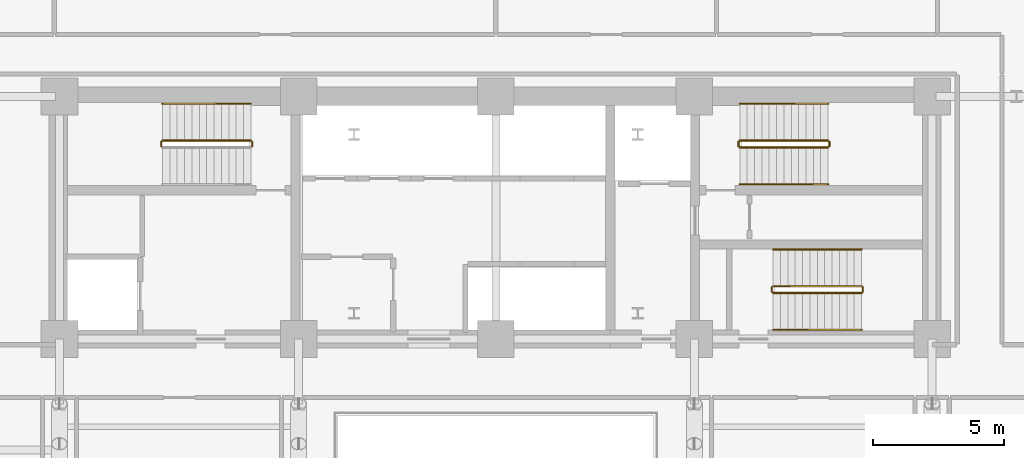
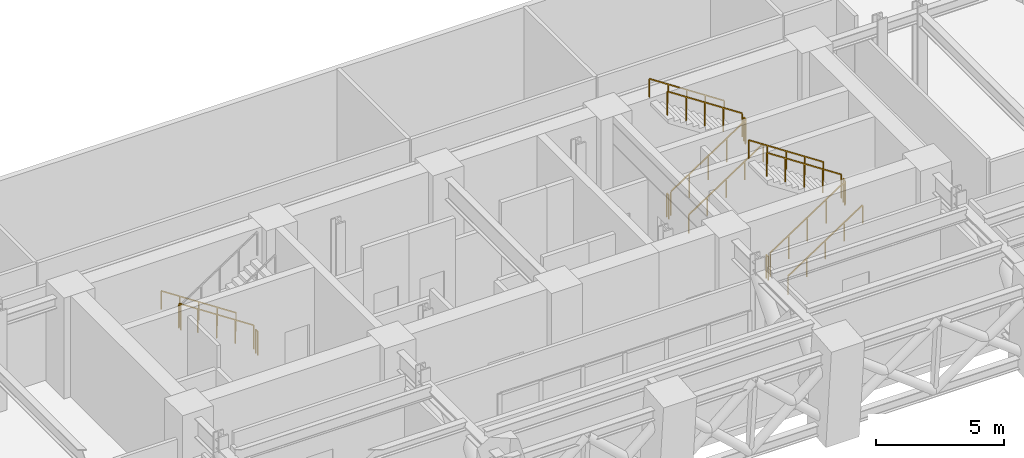
# One storey, part 12 of 12: 16 railings.
"""IFC4 building model written with IfcOpenShell, lengths in metres."""

from ifc_helpers import new_model, si_unit, direction, frame, origin, origin_2d, place, context, subcontext, project, spatial, rectangle, extrude, material, type_object, element, save


model = new_model("IFC4")

# Units and contexts
model_context = context("Model", 3, precision=1e-05, world=origin(), true_north=direction((0.0, 1.0)))
body_context = subcontext(model_context, "Body", "Model", "MODEL_VIEW")
ifc_project = project(units=[si_unit("LENGTHUNIT", "METRE"), si_unit("AREAUNIT", "SQUARE_METRE"), si_unit("VOLUMEUNIT", "CUBIC_METRE"), si_unit("PLANEANGLEUNIT", "RADIAN"), si_unit("MASSUNIT", "GRAM", prefix="KILO")], contexts=[model_context])

# Site, building, storey
site_placement = place(None, origin())
site = spatial("IfcSite", under=ifc_project, at=site_placement, CompositionType="ELEMENT")
building_placement = place(site_placement, origin())
building = spatial("IfcBuilding", under=site, at=building_placement, Name="Zarnavel Station Tower", CompositionType="ELEMENT")
storey_placement = place(building_placement, frame((0.0, 0.0, 74.5)))
storey = spatial("IfcBuildingStorey", under=building, at=storey_placement, Name="L20", CompositionType="ELEMENT", Elevation=74.5)

# Railings
ifc_material_1 = material(Name="Painted Steel S355J2 Balustrade", Category="steel")
railing_type_1 = type_object("IfcRailingType", Name="GR_INT_1150", PredefinedType="GUARDRAIL", material=ifc_material_1)
railing_1_placement = place(storey_placement, frame((19.47998046875, 35.3701171875, 0.1845703125)))
element("IfcRailing", 1, at=railing_1_placement, inside=storey, type_object=railing_type_1, Name="L20 ST1 stair guard 1", PredefinedType="GUARDRAIL", context=body_context, shape_type="SweptSolid", body=[
    extrude(rectangle(XDim=0.048095703125, YDim=0.048095703125, at=origin_2d()), frame((-0.001708984375, 0.0, 1.126953125), z_axis=(-0.834858096282, 0.0, 0.550465220583), x_axis=(0.0, -1.0, 0.0)), (0.0, 0.0, 1.0), 4.0205078125),
    extrude(rectangle(XDim=0.0419921875, YDim=0.0419921875, at=origin_2d()), origin(), (0.0, 0.0, 1.0), 1.101806640625),
    extrude(rectangle(XDim=0.0419921875, YDim=0.0419921875, at=origin_2d()), frame((-0.83984375, 0.0, 0.5537109375)), (0.0, 0.0, 1.0), 1.101806640625),
    extrude(rectangle(XDim=0.0419921875, YDim=0.0419921875, at=origin_2d()), frame((-1.679931640625, 0.0, 1.107666015625)), (0.0, 0.0, 1.0), 1.101806640625),
    extrude(rectangle(XDim=0.0419921875, YDim=0.0419921875, at=origin_2d()), frame((-2.52001953125, 0.0, 1.66162109375)), (0.0, 0.0, 1.0), 1.101806640625),
    extrude(rectangle(XDim=0.0419921875, YDim=0.0419921875, at=origin_2d()), frame((-3.35986328125, 0.0, 2.21533203125)), (0.0, 0.0, 1.0), 1.101806640625),
])
for number, where, name in (
    (2, (16.070068359375, 35.320068359375, 2.39990234375), "L20 ST1 stair guard 2"),
    (3, (19.530029296875, 35.320068359375, 0.0), "L20 ST1 stair guard 4"),
):
    element("IfcRailing", number, at=place(storey_placement, frame(where)), inside=storey, type_object=railing_type_1, Name=name, PredefinedType="GUARDRAIL", context=body_context, shape_type="SweptSolid", body=[
        extrude(rectangle(XDim=0.048095703125, YDim=0.048095703125, at=origin_2d()), frame((0.0, -0.001953125, 1.1259765625), z_axis=(0.0, -1.0, 0.0), x_axis=(1.0, 0.0, 0.0)), (0.0, 0.0, 1.0), 0.15625),
        extrude(rectangle(XDim=0.0419921875, YDim=0.0419921875, at=origin_2d()), origin(), (0.0, 0.0, 1.0), 1.101806640625),
        extrude(rectangle(XDim=0.0419921875, YDim=0.0419921875, at=origin_2d()), frame((0.0, -0.16015625, 0.0)), (0.0, 0.0, 1.0), 1.101806640625),
    ])
railing_2_placement = place(storey_placement, frame((38.080078125, 35.110107421875, 0.1845703125)))
element("IfcRailing", 4, at=railing_2_placement, inside=storey, type_object=railing_type_1, Name="L20 ST2 stair guard 1", PredefinedType="GUARDRAIL", context=body_context, shape_type="SweptSolid", body=[
    extrude(rectangle(XDim=0.048095703125, YDim=0.048095703125, at=origin_2d()), frame((0.001708984375, 0.0, 1.126953125), z_axis=(0.834858096282, 0.0, 0.550465220583), x_axis=(0.0, 1.0, 0.0)), (0.0, 0.0, 1.0), 4.0205078125),
    extrude(rectangle(XDim=0.0419921875, YDim=0.0419921875, at=origin_2d()), origin(), (0.0, 0.0, 1.0), 1.101806640625),
    extrude(rectangle(XDim=0.0419921875, YDim=0.0419921875, at=origin_2d()), frame((0.83984375, 0.0, 0.5537109375)), (0.0, 0.0, 1.0), 1.101806640625),
    extrude(rectangle(XDim=0.0419921875, YDim=0.0419921875, at=origin_2d()), frame((1.679931640625, 0.0, 1.107666015625)), (0.0, 0.0, 1.0), 1.101806640625),
    extrude(rectangle(XDim=0.0419921875, YDim=0.0419921875, at=origin_2d()), frame((2.52001953125, 0.0, 1.66162109375)), (0.0, 0.0, 1.0), 1.101806640625),
    extrude(rectangle(XDim=0.0419921875, YDim=0.0419921875, at=origin_2d()), frame((3.35986328125, 0.0, 2.21533203125)), (0.0, 0.0, 1.0), 1.101806640625),
])
railing_3_placement = place(storey_placement, frame((41.489990234375, 35.159912109375, 2.39990234375)))
element("IfcRailing", 5, at=railing_3_placement, inside=storey, type_object=railing_type_1, Name="L20 ST2 stair guard 2", PredefinedType="GUARDRAIL", context=body_context, shape_type="SweptSolid", body=[
    extrude(rectangle(XDim=0.048095703125, YDim=0.048095703125, at=origin_2d()), frame((0.0, 0.001953125, 1.1259765625), z_axis=(0.0, 1.0, 0.0), x_axis=(-1.0, 0.0, 0.0)), (0.0, 0.0, 1.0), 0.15625),
    extrude(rectangle(XDim=0.0419921875, YDim=0.0419921875, at=origin_2d()), origin(), (0.0, 0.0, 1.0), 1.101806640625),
    extrude(rectangle(XDim=0.0419921875, YDim=0.0419921875, at=origin_2d()), frame((0.0, 0.16015625, 0.0)), (0.0, 0.0, 1.0), 1.101806640625),
])
railing_4_placement = place(storey_placement, frame((41.43994140625, 35.3701171875, 2.584716796875)))
element("IfcRailing", 6, at=railing_4_placement, inside=storey, type_object=railing_type_1, Name="L20 ST2 stair guard 3", PredefinedType="GUARDRAIL", context=body_context, shape_type="SweptSolid", body=[
    extrude(rectangle(XDim=0.048095703125, YDim=0.048095703125, at=origin_2d()), frame((-0.001708984375, 0.0, 1.126953125), z_axis=(-0.834858096282, 0.0, 0.550465220583), x_axis=(0.0, -1.0, 0.0)), (0.0, 0.0, 1.0), 4.0205078125),
    extrude(rectangle(XDim=0.0419921875, YDim=0.0419921875, at=origin_2d()), origin(), (0.0, 0.0, 1.0), 1.101806640625),
    extrude(rectangle(XDim=0.0419921875, YDim=0.0419921875, at=origin_2d()), frame((-0.83984375, 0.0, 0.5537109375)), (0.0, 0.0, 1.0), 1.101806640625),
    extrude(rectangle(XDim=0.0419921875, YDim=0.0419921875, at=origin_2d()), frame((-1.679931640625, 0.0, 1.107666015625)), (0.0, 0.0, 1.0), 1.101806640625),
    extrude(rectangle(XDim=0.0419921875, YDim=0.0419921875, at=origin_2d()), frame((-2.52001953125, 0.0, 1.66162109375)), (0.0, 0.0, 1.0), 1.101806640625),
    extrude(rectangle(XDim=0.0419921875, YDim=0.0419921875, at=origin_2d()), frame((-3.35986328125, 0.0, 2.21533203125)), (0.0, 0.0, 1.0), 1.101806640625),
])
railing_5_placement = place(storey_placement, frame((38.030029296875, 35.159912109375, 0.0)))
element("IfcRailing", 7, at=railing_5_placement, inside=storey, type_object=railing_type_1, Name="L20 ST2 stair guard 4", PredefinedType="GUARDRAIL", context=body_context, shape_type="SweptSolid", body=[
    extrude(rectangle(XDim=0.048095703125, YDim=0.048095703125, at=origin_2d()), frame((0.0, 0.001953125, 1.1259765625), z_axis=(0.0, 1.0, 0.0), x_axis=(-1.0, 0.0, 0.0)), (0.0, 0.0, 1.0), 0.15625),
    extrude(rectangle(XDim=0.0419921875, YDim=0.0419921875, at=origin_2d()), origin(), (0.0, 0.0, 1.0), 1.101806640625),
    extrude(rectangle(XDim=0.0419921875, YDim=0.0419921875, at=origin_2d()), frame((0.0, 0.16015625, 0.0)), (0.0, 0.0, 1.0), 1.101806640625),
])
railing_6_placement = place(storey_placement, frame((39.35009765625, 29.570068359375, 0.1845703125)))
element("IfcRailing", 8, at=railing_6_placement, inside=storey, type_object=railing_type_1, Name="L20 ST3 stair guard 1", PredefinedType="GUARDRAIL", context=body_context, shape_type="SweptSolid", body=[
    extrude(rectangle(XDim=0.048095703125, YDim=0.048095703125, at=origin_2d()), frame((0.001708984375, 0.0, 1.126953125), z_axis=(0.834858096282, 0.0, 0.550465220583), x_axis=(0.0, 1.0, 0.0)), (0.0, 0.0, 1.0), 4.0205078125),
    extrude(rectangle(XDim=0.0419921875, YDim=0.0419921875, at=origin_2d()), origin(), (0.0, 0.0, 1.0), 1.101806640625),
    extrude(rectangle(XDim=0.0419921875, YDim=0.0419921875, at=origin_2d()), frame((0.83984375, 0.0, 0.5537109375)), (0.0, 0.0, 1.0), 1.101806640625),
    extrude(rectangle(XDim=0.0419921875, YDim=0.0419921875, at=origin_2d()), frame((1.679931640625, 0.0, 1.107666015625)), (0.0, 0.0, 1.0), 1.101806640625),
    extrude(rectangle(XDim=0.0419921875, YDim=0.0419921875, at=origin_2d()), frame((2.52001953125, 0.0, 1.66162109375)), (0.0, 0.0, 1.0), 1.101806640625),
    extrude(rectangle(XDim=0.0419921875, YDim=0.0419921875, at=origin_2d()), frame((3.35986328125, 0.0, 2.21533203125)), (0.0, 0.0, 1.0), 1.101806640625),
])
railing_7_placement = place(storey_placement, frame((42.760009765625, 29.6201171875, 2.39990234375)))
element("IfcRailing", 9, at=railing_7_placement, inside=storey, type_object=railing_type_1, Name="L20 ST3 stair guard 2", PredefinedType="GUARDRAIL", context=body_context, shape_type="SweptSolid", body=[
    extrude(rectangle(XDim=0.048095703125, YDim=0.048095703125, at=origin_2d()), frame((0.0, 0.001953125, 1.1259765625), z_axis=(0.0, 1.0, 0.0), x_axis=(-1.0, 0.0, 0.0)), (0.0, 0.0, 1.0), 0.156005859375),
    extrude(rectangle(XDim=0.0419921875, YDim=0.0419921875, at=origin_2d()), origin(), (0.0, 0.0, 1.0), 1.101806640625),
    extrude(rectangle(XDim=0.0419921875, YDim=0.0419921875, at=origin_2d()), frame((0.0, 0.159912109375, 0.0)), (0.0, 0.0, 1.0), 1.101806640625),
])
railing_8_placement = place(storey_placement, frame((42.7099609375, 29.830078125, 2.584716796875)))
element("IfcRailing", 10, at=railing_8_placement, inside=storey, type_object=railing_type_1, Name="L20 ST3 stair guard 3", PredefinedType="GUARDRAIL", context=body_context, shape_type="SweptSolid", body=[
    extrude(rectangle(XDim=0.048095703125, YDim=0.048095703125, at=origin_2d()), frame((-0.001708984375, 0.0, 1.126953125), z_axis=(-0.834858096282, 0.0, 0.550465220583), x_axis=(0.0, -1.0, 0.0)), (0.0, 0.0, 1.0), 4.0205078125),
    extrude(rectangle(XDim=0.0419921875, YDim=0.0419921875, at=origin_2d()), origin(), (0.0, 0.0, 1.0), 1.101806640625),
    extrude(rectangle(XDim=0.0419921875, YDim=0.0419921875, at=origin_2d()), frame((-0.83984375, 0.0, 0.5537109375)), (0.0, 0.0, 1.0), 1.101806640625),
    extrude(rectangle(XDim=0.0419921875, YDim=0.0419921875, at=origin_2d()), frame((-1.679931640625, 0.0, 1.107666015625)), (0.0, 0.0, 1.0), 1.101806640625),
    extrude(rectangle(XDim=0.0419921875, YDim=0.0419921875, at=origin_2d()), frame((-2.52001953125, 0.0, 1.66162109375)), (0.0, 0.0, 1.0), 1.101806640625),
    extrude(rectangle(XDim=0.0419921875, YDim=0.0419921875, at=origin_2d()), frame((-3.35986328125, 0.0, 2.21533203125)), (0.0, 0.0, 1.0), 1.101806640625),
])
railing_9_placement = place(storey_placement, frame((39.300048828125, 29.6201171875, 0.0)))
element("IfcRailing", 11, at=railing_9_placement, inside=storey, type_object=railing_type_1, Name="L20 ST3 stair guard 4", PredefinedType="GUARDRAIL", context=body_context, shape_type="SweptSolid", body=[
    extrude(rectangle(XDim=0.048095703125, YDim=0.048095703125, at=origin_2d()), frame((0.0, 0.001953125, 1.1259765625), z_axis=(0.0, 1.0, 0.0), x_axis=(-1.0, 0.0, 0.0)), (0.0, 0.0, 1.0), 0.156005859375),
    extrude(rectangle(XDim=0.0419921875, YDim=0.0419921875, at=origin_2d()), origin(), (0.0, 0.0, 1.0), 1.101806640625),
    extrude(rectangle(XDim=0.0419921875, YDim=0.0419921875, at=origin_2d()), frame((0.0, 0.159912109375, 0.0)), (0.0, 0.0, 1.0), 1.101806640625),
])
ifc_material_2 = material(Name="Brushed Stainless Steel S355J2 Handrail", Category="steel")
railing_type_2 = type_object("IfcRailingType", Name="HR_STAIR_900", PredefinedType="HANDRAIL", material=ifc_material_2)
railing_10_placement = place(storey_placement, frame((19.47998046875, 36.77001953125, 0.1845703125)))
element("IfcRailing", 12, at=railing_10_placement, inside=storey, type_object=railing_type_2, Name="L20 ST1 stair handrail 1", PredefinedType="HANDRAIL", context=body_context, shape_type="SweptSolid", body=[
    extrude(rectangle(XDim=0.048095703125, YDim=0.048095703125, at=origin_2d()), frame((-0.001708984375, 0.0, 0.876953125), z_axis=(-0.834858096282, 0.0, 0.550465220583), x_axis=(0.0, -1.0, 0.0)), (0.0, 0.0, 1.0), 4.0205078125),
    extrude(rectangle(XDim=0.0419921875, YDim=0.0419921875, at=origin_2d()), origin(), (0.0, 0.0, 1.0), 0.851806640625),
    extrude(rectangle(XDim=0.0419921875, YDim=0.0419921875, at=origin_2d()), frame((-0.83984375, 0.0, 0.5537109375)), (0.0, 0.0, 1.0), 0.851806640625),
    extrude(rectangle(XDim=0.0419921875, YDim=0.0419921875, at=origin_2d()), frame((-1.679931640625, 0.0, 1.107666015625)), (0.0, 0.0, 1.0), 0.851806640625),
    extrude(rectangle(XDim=0.0419921875, YDim=0.0419921875, at=origin_2d()), frame((-2.52001953125, 0.0, 1.66162109375)), (0.0, 0.0, 1.0), 0.851806640625),
    extrude(rectangle(XDim=0.0419921875, YDim=0.0419921875, at=origin_2d()), frame((-3.35986328125, 0.0, 2.21533203125)), (0.0, 0.0, 1.0), 0.851806640625),
])
railing_11_placement = place(storey_placement, frame((38.080078125, 33.7099609375, 0.1845703125)))
element("IfcRailing", 13, at=railing_11_placement, inside=storey, type_object=railing_type_2, Name="L20 ST2 stair handrail 1", PredefinedType="HANDRAIL", context=body_context, shape_type="SweptSolid", body=[
    extrude(rectangle(XDim=0.048095703125, YDim=0.048095703125, at=origin_2d()), frame((0.001708984375, 0.0, 0.876953125), z_axis=(0.834858096282, 0.0, 0.550465220583), x_axis=(0.0, 1.0, 0.0)), (0.0, 0.0, 1.0), 4.0205078125),
    extrude(rectangle(XDim=0.0419921875, YDim=0.0419921875, at=origin_2d()), origin(), (0.0, 0.0, 1.0), 0.851806640625),
    extrude(rectangle(XDim=0.0419921875, YDim=0.0419921875, at=origin_2d()), frame((0.83984375, 0.0, 0.5537109375)), (0.0, 0.0, 1.0), 0.851806640625),
    extrude(rectangle(XDim=0.0419921875, YDim=0.0419921875, at=origin_2d()), frame((1.679931640625, 0.0, 1.107666015625)), (0.0, 0.0, 1.0), 0.851806640625),
    extrude(rectangle(XDim=0.0419921875, YDim=0.0419921875, at=origin_2d()), frame((2.52001953125, 0.0, 1.66162109375)), (0.0, 0.0, 1.0), 0.851806640625),
    extrude(rectangle(XDim=0.0419921875, YDim=0.0419921875, at=origin_2d()), frame((3.35986328125, 0.0, 2.21533203125)), (0.0, 0.0, 1.0), 0.851806640625),
])
railing_12_placement = place(storey_placement, frame((41.43994140625, 36.77001953125, 2.584716796875)))
element("IfcRailing", 14, at=railing_12_placement, inside=storey, type_object=railing_type_2, Name="L20 ST2 stair handrail 2", PredefinedType="HANDRAIL", context=body_context, shape_type="SweptSolid", body=[
    extrude(rectangle(XDim=0.048095703125, YDim=0.048095703125, at=origin_2d()), frame((-0.001708984375, 0.0, 0.876953125), z_axis=(-0.834858096282, 0.0, 0.550465220583), x_axis=(0.0, -1.0, 0.0)), (0.0, 0.0, 1.0), 4.0205078125),
    extrude(rectangle(XDim=0.0419921875, YDim=0.0419921875, at=origin_2d()), origin(), (0.0, 0.0, 1.0), 0.851806640625),
    extrude(rectangle(XDim=0.0419921875, YDim=0.0419921875, at=origin_2d()), frame((-0.83984375, 0.0, 0.5537109375)), (0.0, 0.0, 1.0), 0.851806640625),
    extrude(rectangle(XDim=0.0419921875, YDim=0.0419921875, at=origin_2d()), frame((-1.679931640625, 0.0, 1.107666015625)), (0.0, 0.0, 1.0), 0.851806640625),
    extrude(rectangle(XDim=0.0419921875, YDim=0.0419921875, at=origin_2d()), frame((-2.52001953125, 0.0, 1.66162109375)), (0.0, 0.0, 1.0), 0.851806640625),
    extrude(rectangle(XDim=0.0419921875, YDim=0.0419921875, at=origin_2d()), frame((-3.35986328125, 0.0, 2.21533203125)), (0.0, 0.0, 1.0), 0.851806640625),
])
railing_13_placement = place(storey_placement, frame((39.35009765625, 28.169921875, 0.1845703125)))
element("IfcRailing", 15, at=railing_13_placement, inside=storey, type_object=railing_type_2, Name="L20 ST3 stair handrail 1", PredefinedType="HANDRAIL", context=body_context, shape_type="SweptSolid", body=[
    extrude(rectangle(XDim=0.048095703125, YDim=0.048095703125, at=origin_2d()), frame((0.001708984375, 0.0, 0.876953125), z_axis=(0.834858096282, 0.0, 0.550465220583), x_axis=(0.0, 1.0, 0.0)), (0.0, 0.0, 1.0), 4.0205078125),
    extrude(rectangle(XDim=0.0419921875, YDim=0.0419921875, at=origin_2d()), origin(), (0.0, 0.0, 1.0), 0.851806640625),
    extrude(rectangle(XDim=0.0419921875, YDim=0.0419921875, at=origin_2d()), frame((0.83984375, 0.0, 0.5537109375)), (0.0, 0.0, 1.0), 0.851806640625),
    extrude(rectangle(XDim=0.0419921875, YDim=0.0419921875, at=origin_2d()), frame((1.679931640625, 0.0, 1.107666015625)), (0.0, 0.0, 1.0), 0.851806640625),
    extrude(rectangle(XDim=0.0419921875, YDim=0.0419921875, at=origin_2d()), frame((2.52001953125, 0.0, 1.66162109375)), (0.0, 0.0, 1.0), 0.851806640625),
    extrude(rectangle(XDim=0.0419921875, YDim=0.0419921875, at=origin_2d()), frame((3.35986328125, 0.0, 2.21533203125)), (0.0, 0.0, 1.0), 0.851806640625),
])
railing_14_placement = place(storey_placement, frame((42.7099609375, 31.22998046875, 2.584716796875)))
element("IfcRailing", 16, at=railing_14_placement, inside=storey, type_object=railing_type_2, Name="L20 ST3 stair handrail 2", PredefinedType="HANDRAIL", context=body_context, shape_type="SweptSolid", body=[
    extrude(rectangle(XDim=0.048095703125, YDim=0.048095703125, at=origin_2d()), frame((-0.001708984375, 0.0, 0.876953125), z_axis=(-0.834858096282, 0.0, 0.550465220583), x_axis=(0.0, -1.0, 0.0)), (0.0, 0.0, 1.0), 4.0205078125),
    extrude(rectangle(XDim=0.0419921875, YDim=0.0419921875, at=origin_2d()), origin(), (0.0, 0.0, 1.0), 0.851806640625),
    extrude(rectangle(XDim=0.0419921875, YDim=0.0419921875, at=origin_2d()), frame((-0.83984375, 0.0, 0.5537109375)), (0.0, 0.0, 1.0), 0.851806640625),
    extrude(rectangle(XDim=0.0419921875, YDim=0.0419921875, at=origin_2d()), frame((-1.679931640625, 0.0, 1.107666015625)), (0.0, 0.0, 1.0), 0.851806640625),
    extrude(rectangle(XDim=0.0419921875, YDim=0.0419921875, at=origin_2d()), frame((-2.52001953125, 0.0, 1.66162109375)), (0.0, 0.0, 1.0), 0.851806640625),
    extrude(rectangle(XDim=0.0419921875, YDim=0.0419921875, at=origin_2d()), frame((-3.35986328125, 0.0, 2.21533203125)), (0.0, 0.0, 1.0), 0.851806640625),
])

save(model, "model.ifc")
